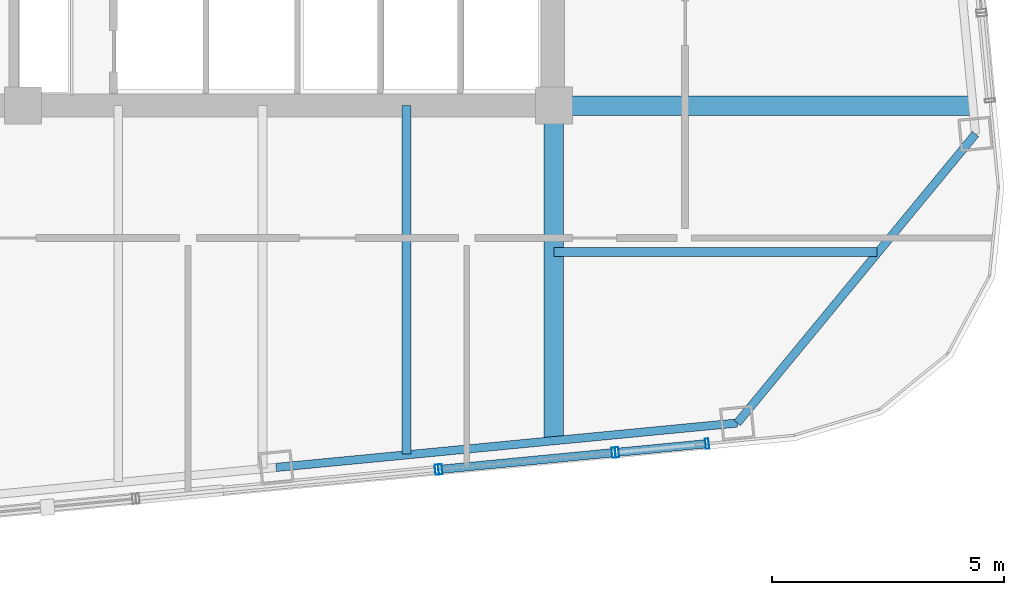
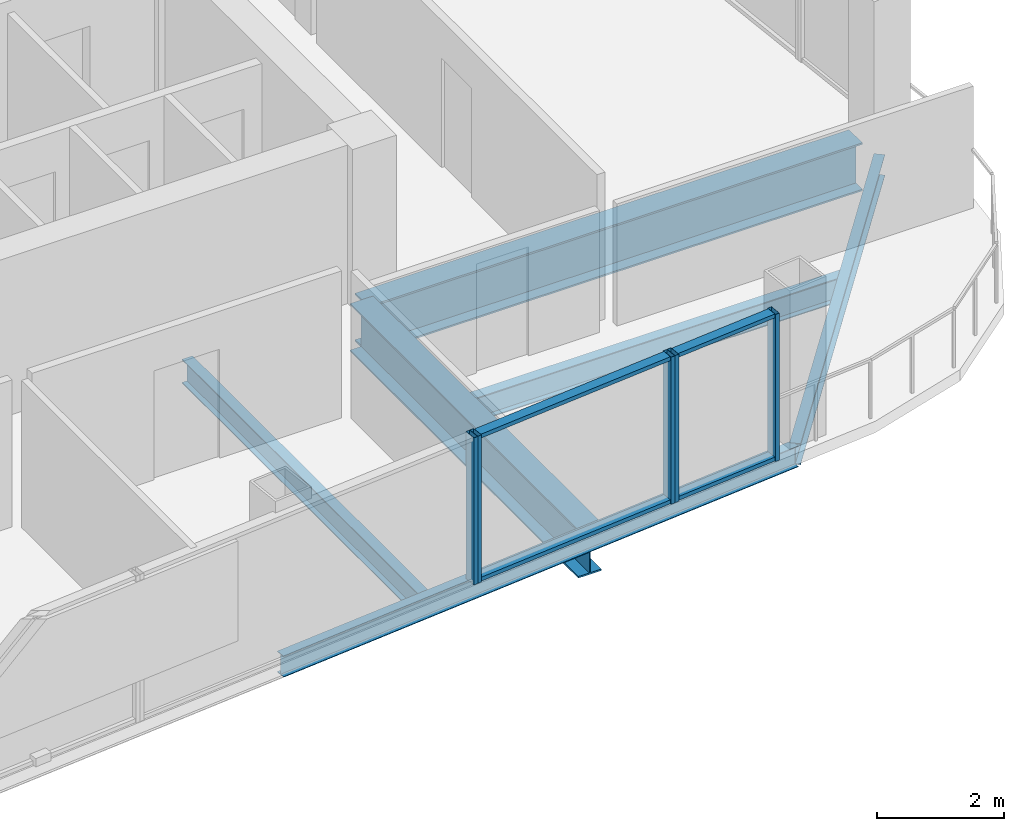
# One storey, part 9 of 22: 9 members, 6 beams, 3 elements without a shape of their own.
"""IFC4 building model written with IfcOpenShell, lengths in metres."""

from ifc_helpers import new_model, si_unit, direction, frame, origin, origin_2d, place, context, subcontext, project, spatial, hollow_rectangle, i_section, extrude, material, layer, layer_set, material_profile, profile_set, type_object, element, aggregate, save


model = new_model("IFC4")

# Units and contexts
model_context = context("Model", 3, precision=1e-05, world=origin(), true_north=direction((0.0, 1.0)))
body_context = subcontext(model_context, "Body", "Model", "MODEL_VIEW")
ifc_project = project(units=[si_unit("LENGTHUNIT", "METRE"), si_unit("AREAUNIT", "SQUARE_METRE"), si_unit("VOLUMEUNIT", "CUBIC_METRE"), si_unit("PLANEANGLEUNIT", "RADIAN"), si_unit("MASSUNIT", "GRAM", prefix="KILO")], contexts=[model_context])

# Site, building, storey
site_placement = place(None, origin())
site = spatial("IfcSite", under=ifc_project, at=site_placement, CompositionType="ELEMENT")
building_placement = place(site_placement, origin())
building = spatial("IfcBuilding", under=site, at=building_placement, Name="Qhalaya Broadcast Tower", CompositionType="ELEMENT")
storey_placement = place(building_placement, frame((0.0, 0.0, 174.449951171875)))
storey = spatial("IfcBuildingStorey", under=building, at=storey_placement, Name="L51", CompositionType="ELEMENT", Elevation=174.449951171875)

# Beams
ifc_material_1 = material(Name="Structural Steel ASTM A992 Grade 50", Category="steel")
ifc_material_profile_1 = material_profile(ifc_material_1, i_section(OverallWidth=0.19189453125, OverallDepth=0.462890625, WebThickness=0.010498046875, FlangeThickness=0.017578125, at=origin_2d()), Name="W18X60")
ifc_profile_set_1 = profile_set([ifc_material_profile_1], Name="Structural Steel ASTM A992 Grade 50")
beam_type_1 = type_object("IfcBeamType", Name="Composite Floor Joist J03", PredefinedType="JOIST", material=ifc_profile_set_1)
beam_1_placement = place(storey_placement, frame((6.199951171875, -16.24755859375, -0.451416015625), z_axis=(0.0, 1.0, 0.0), x_axis=(-1.0, 0.0, 0.0)))
element("IfcBeam", 1, at=beam_1_placement, inside=storey, type_object=beam_type_1, Name="L51 J03 L51-JNS5-1", PredefinedType="JOIST", context=body_context, shape_type="SweptSolid", body=[
    extrude(i_section(OverallWidth=0.19189453125, OverallDepth=0.462890625, WebThickness=0.010498046875, FlangeThickness=0.017578125, at=origin_2d()), origin(), (0.0, 0.0, 1.0), 7.49755859375),
])
beam_2_placement = place(storey_placement, frame((9.375, -11.89990234375, -0.451416015625), z_axis=(1.0, 0.0, 0.0), x_axis=(0.0, 1.0, 0.0)))
element("IfcBeam", 2, at=beam_2_placement, inside=storey, type_object=beam_type_1, Name="L51 J03 L51-JWE2E-1", PredefinedType="JOIST", context=body_context, shape_type="SweptSolid", body=[
    extrude(i_section(OverallWidth=0.19189453125, OverallDepth=0.462890625, WebThickness=0.010498046875, FlangeThickness=0.017578125, at=origin_2d()), origin(), (0.0, 0.0, 1.0), 6.95458984375),
])
ifc_material_profile_2 = material_profile(ifc_material_1, i_section(OverallWidth=0.4189453125, OverallDepth=0.927001953125, WebThickness=0.019287109375, FlangeThickness=0.031982421875, at=origin_2d()), Name="W36X231")
ifc_profile_set_2 = profile_set([ifc_material_profile_2], Name="Structural Steel ASTM A992 Grade 50")
beam_type_2 = type_object("IfcBeamType", Name="Mid Block Primary Girder PG3", PredefinedType="USERDEFINED", material=ifc_profile_set_2)
beam_3_placement = place(storey_placement, frame((9.375, -15.94189453125, -0.683349609375), z_axis=(0.0, 1.0, 0.0), x_axis=(-1.0, 0.0, 0.0)))
element("IfcBeam", 3, at=beam_3_placement, inside=storey, type_object=beam_type_2, Name="L51 PG3 L51-PGXS2-1", ObjectType="GIRDER", PredefinedType="USERDEFINED", context=body_context, shape_type="SweptSolid", body=[
    extrude(i_section(OverallWidth=0.4189453125, OverallDepth=0.927001953125, WebThickness=0.019287109375, FlangeThickness=0.031982421875, at=origin_2d()), origin(), (0.0, 0.0, 1.0), 7.19189453125),
])
beam_4_placement = place(storey_placement, frame((9.375, -8.75, -0.683349609375), z_axis=(1.0, 0.0, 0.0), x_axis=(0.0, 1.0, 0.0)))
element("IfcBeam", 4, at=beam_4_placement, inside=storey, type_object=beam_type_2, Name="L51 PG3 L51-PGYE1-1", ObjectType="GIRDER", PredefinedType="USERDEFINED", context=body_context, shape_type="SweptSolid", body=[
    extrude(i_section(OverallWidth=0.4189453125, OverallDepth=0.927001953125, WebThickness=0.019287109375, FlangeThickness=0.031982421875, at=origin_2d()), origin(), (0.0, 0.0, 1.0), 8.993896484375),
])

# Curtain wall, member
ifc_material_2 = material(Name="Fired Architectural Terracotta", Category="masonry")
ifc_layer_1 = layer(ifc_material_2, 0.219970703125, Name="Fired Architectural Terracotta")
ifc_layer_set_1 = layer_set([ifc_layer_1], Name="Fired Architectural Terracotta")
curtain_wall_type_1 = type_object("IfcCurtainWallType", Name="Block-Cap Unitised Terracotta Spandrel Wall CW-07", PredefinedType="NOTDEFINED", material=ifc_layer_set_1)
curtain_wall_1_placement = place(storey_placement, origin())
curtain_wall_1 = element("IfcCurtainWall", 5, at=curtain_wall_1_placement, inside=storey, type_object=curtain_wall_type_1, Name="L51 Unitised Curtain Wall L51-CW-S5", PredefinedType="NOTDEFINED")
ifc_material_3 = material(Name="Anodised Aluminium 6063-T6", Category="aluminium")
ifc_material_profile_3 = material_profile(ifc_material_3, hollow_rectangle(XDim=0.074951171875, YDim=0.219970703125, WallThickness=0.00390625, at=origin_2d()), Name="ALU-MUL 75x220x4")
ifc_profile_set_3 = profile_set([ifc_material_profile_3], Name="Anodised Aluminium 6063-T6")
member_type_1 = type_object("IfcMemberType", Name="Unitised Curtain-Wall Mullion M01", PredefinedType="MULLION", material=ifc_profile_set_3)
member_1_placement = place(storey_placement, frame((6.85546875, -16.586181640625, 0.0), z_axis=(0.0, 0.0, 1.0), x_axis=(0.995396255089, 0.095845163439, 0.0)))
member_1 = element("IfcMember", 6, at=member_1_placement, type_object=member_type_1, Name="CW-07 mullion 2", PredefinedType="MULLION", context=body_context, shape_type="SweptSolid", body=[
    extrude(hollow_rectangle(XDim=0.074951171875, YDim=0.219970703125, WallThickness=0.00390625, at=origin_2d()), origin(), (0.0, 0.0, 1.0), 2.830078125),
])
aggregate(curtain_wall_1, [member_1])

# Curtain wall, members
ifc_material_4 = material(Name="Solar-Control Low-E Triple Glazing", Category="glass")
ifc_layer_2 = layer(ifc_material_4, 0.219970703125, Name="Solar-Control Low-E Triple Glazing")
ifc_layer_set_2 = layer_set([ifc_layer_2], Name="Solar-Control Low-E Triple Glazing")
curtain_wall_type_2 = type_object("IfcCurtainWallType", Name="Even-Block 4-Storey Double-Module Curtain Wall CW-03", PredefinedType="NOTDEFINED", material=ifc_layer_set_2)
curtain_wall_2_placement = place(storey_placement, origin())
curtain_wall_2 = element("IfcCurtainWall", 7, at=curtain_wall_2_placement, inside=storey, type_object=curtain_wall_type_2, Name="L51 Unitised Curtain Wall L51-CW-S6", PredefinedType="NOTDEFINED")
member_2_placement = place(storey_placement, frame((6.929931640625, -16.5791015625, 0.0), z_axis=(0.0, 0.0, 1.0), x_axis=(0.995396841683, 0.095839071198, 0.0)))
member_2 = element("IfcMember", 8, at=member_2_placement, type_object=member_type_1, Name="CW-03 mullion 1", PredefinedType="MULLION", context=body_context, shape_type="SweptSolid", body=[
    extrude(hollow_rectangle(XDim=0.074951171875, YDim=0.219970703125, WallThickness=0.00390625, at=origin_2d()), origin(), (0.0, 0.0, 1.0), 2.830078125),
])
member_3_placement = place(storey_placement, frame((10.65869140625, -16.22021484375, 0.0), z_axis=(0.0, 0.0, 1.0), x_axis=(0.995396841683, 0.095839071198, 0.0)))
member_3 = element("IfcMember", 9, at=member_3_placement, type_object=member_type_1, Name="CW-03 mullion 2", PredefinedType="MULLION", context=body_context, shape_type="SweptSolid", body=[
    extrude(hollow_rectangle(XDim=0.074951171875, YDim=0.219970703125, WallThickness=0.00390625, at=origin_2d()), origin(), (0.0, 0.0, 1.0), 2.830078125),
])

curtain_wall_3_placement = place(storey_placement, origin())
curtain_wall_3 = element("IfcCurtainWall", 10, at=curtain_wall_3_placement, inside=storey, type_object=curtain_wall_type_1, Name="L51 Unitised Curtain Wall L51-CW-S7", PredefinedType="NOTDEFINED")
member_4_placement = place(storey_placement, frame((10.7333984375, -16.212890625, 0.0), z_axis=(0.0, 0.0, 1.0), x_axis=(0.995396068977, 0.095847096282, 0.0)))
member_4 = element("IfcMember", 11, at=member_4_placement, type_object=member_type_1, Name="CW-07 mullion 1", PredefinedType="MULLION", context=body_context, shape_type="SweptSolid", body=[
    extrude(hollow_rectangle(XDim=0.074951171875, YDim=0.219970703125, WallThickness=0.00390625, at=origin_2d()), origin(), (0.0, 0.0, 1.0), 2.830078125),
])
member_5_placement = place(storey_placement, frame((12.67236328125, -16.026123046875, 0.0), z_axis=(0.0, 0.0, 1.0), x_axis=(0.995396068977, 0.095847096282, 0.0)))
member_5 = element("IfcMember", 12, at=member_5_placement, type_object=member_type_1, Name="CW-07 mullion 2", PredefinedType="MULLION", context=body_context, shape_type="SweptSolid", body=[
    extrude(hollow_rectangle(XDim=0.074951171875, YDim=0.219970703125, WallThickness=0.00390625, at=origin_2d()), origin(), (0.0, 0.0, 1.0), 2.830078125),
])

# Member
ifc_material_profile_4 = material_profile(ifc_material_3, hollow_rectangle(XDim=0.074951171875, YDim=0.179931640625, WallThickness=0.00390625, at=origin_2d()), Name="ALU-TRN 75x180x4")
ifc_profile_set_4 = profile_set([ifc_material_profile_4], Name="Anodised Aluminium 6063-T6")
member_type_2 = type_object("IfcMemberType", Name="Unitised Curtain-Wall Transom T01", PredefinedType="USERDEFINED", material=ifc_profile_set_4)
member_6_placement = place(storey_placement, frame((6.96728515625, -16.575439453125, 0.03759765625), z_axis=(0.99539720199, 0.095835328928, 0.0), x_axis=(0.0, 0.0, 1.0)))
member_6 = element("IfcMember", 13, at=member_6_placement, type_object=member_type_2, Name="CW-03 transom 1.1", ObjectType="TRANSOM", PredefinedType="USERDEFINED", context=body_context, shape_type="SweptSolid", body=[
    extrude(hollow_rectangle(XDim=0.074951171875, YDim=0.179931640625, WallThickness=0.00390625, at=origin_2d()), origin(), (0.0, 0.0, 1.0), 3.6708984375),
])

member_7_placement = place(storey_placement, frame((6.96728515625, -16.575439453125, 2.79248046875), z_axis=(0.99539720199, 0.095835328928, 0.0), x_axis=(0.0, 0.0, 1.0)))
member_7 = element("IfcMember", 14, at=member_7_placement, type_object=member_type_2, Name="CW-03 transom 1.2", ObjectType="TRANSOM", PredefinedType="USERDEFINED", context=body_context, shape_type="SweptSolid", body=[
    extrude(hollow_rectangle(XDim=0.074951171875, YDim=0.179931640625, WallThickness=0.00390625, at=origin_2d()), origin(), (0.0, 0.0, 1.0), 3.6708984375),
])

aggregate(curtain_wall_2, [member_2, member_3, member_6, member_7])

member_8_placement = place(storey_placement, frame((10.770751953125, -16.209228515625, 0.03759765625), z_axis=(0.995400667165, 0.095799330937, 0.0), x_axis=(0.0, 0.0, 1.0)))
member_8 = element("IfcMember", 15, at=member_8_placement, type_object=member_type_2, Name="CW-07 transom 1.1", ObjectType="TRANSOM", PredefinedType="USERDEFINED", context=body_context, shape_type="SweptSolid", body=[
    extrude(hollow_rectangle(XDim=0.074951171875, YDim=0.179931640625, WallThickness=0.00390625, at=origin_2d()), origin(), (0.0, 0.0, 1.0), 1.873046875),
])

member_9_placement = place(storey_placement, frame((10.770751953125, -16.209228515625, 2.79248046875), z_axis=(0.995400667165, 0.095799330937, 0.0), x_axis=(0.0, 0.0, 1.0)))
member_9 = element("IfcMember", 16, at=member_9_placement, type_object=member_type_2, Name="CW-07 transom 1.2", ObjectType="TRANSOM", PredefinedType="USERDEFINED", context=body_context, shape_type="SweptSolid", body=[
    extrude(hollow_rectangle(XDim=0.074951171875, YDim=0.179931640625, WallThickness=0.00390625, at=origin_2d()), origin(), (0.0, 0.0, 1.0), 1.873046875),
])

aggregate(curtain_wall_3, [member_4, member_5, member_8, member_9])

# Beams
ifc_material_profile_5 = material_profile(ifc_material_1, i_section(OverallWidth=0.177978515625, OverallDepth=0.406005859375, WebThickness=0.0078125, FlangeThickness=0.0126953125, at=origin_2d()), Name="W16X40")
ifc_profile_set_5 = profile_set([ifc_material_profile_5], Name="Structural Steel ASTM A992 Grade 50")
beam_type_3 = type_object("IfcBeamType", Name="Upper Perimeter Spandrel Beam SP2", PredefinedType="SPANDREL", material=ifc_profile_set_5)
beam_5_placement = place(storey_placement, frame((3.399658203125, -16.537353515625, -0.4228515625), z_axis=(0.995395510024, 0.095852900965, 0.0), x_axis=(-0.095852900965, 0.995395510024, 0.0)))
element("IfcBeam", 17, at=beam_5_placement, inside=storey, type_object=beam_type_3, Name="L51 SP2 L51-SPR-03", PredefinedType="SPANDREL", context=body_context, shape_type="SweptSolid", body=[
    extrude(i_section(OverallWidth=0.177978515625, OverallDepth=0.406005859375, WebThickness=0.0078125, FlangeThickness=0.0126953125, at=origin_2d()), origin(), (0.0, 0.0, 1.0), 9.966552734375),
])
beam_6_placement = place(storey_placement, frame((13.3203125, -15.58203125, -0.4228515625), z_axis=(0.636085107008, 0.771618906354, 0.0), x_axis=(-0.771618906354, 0.636085107008, 0.0)))
element("IfcBeam", 18, at=beam_6_placement, inside=storey, type_object=beam_type_3, Name="L51 SP2 L51-SPR-04", PredefinedType="SPANDREL", context=body_context, shape_type="SweptSolid", body=[
    extrude(i_section(OverallWidth=0.177978515625, OverallDepth=0.406005859375, WebThickness=0.0078125, FlangeThickness=0.0126953125, at=origin_2d()), origin(), (0.0, 0.0, 1.0), 8.06103515625),
])

save(model, "model.ifc")
